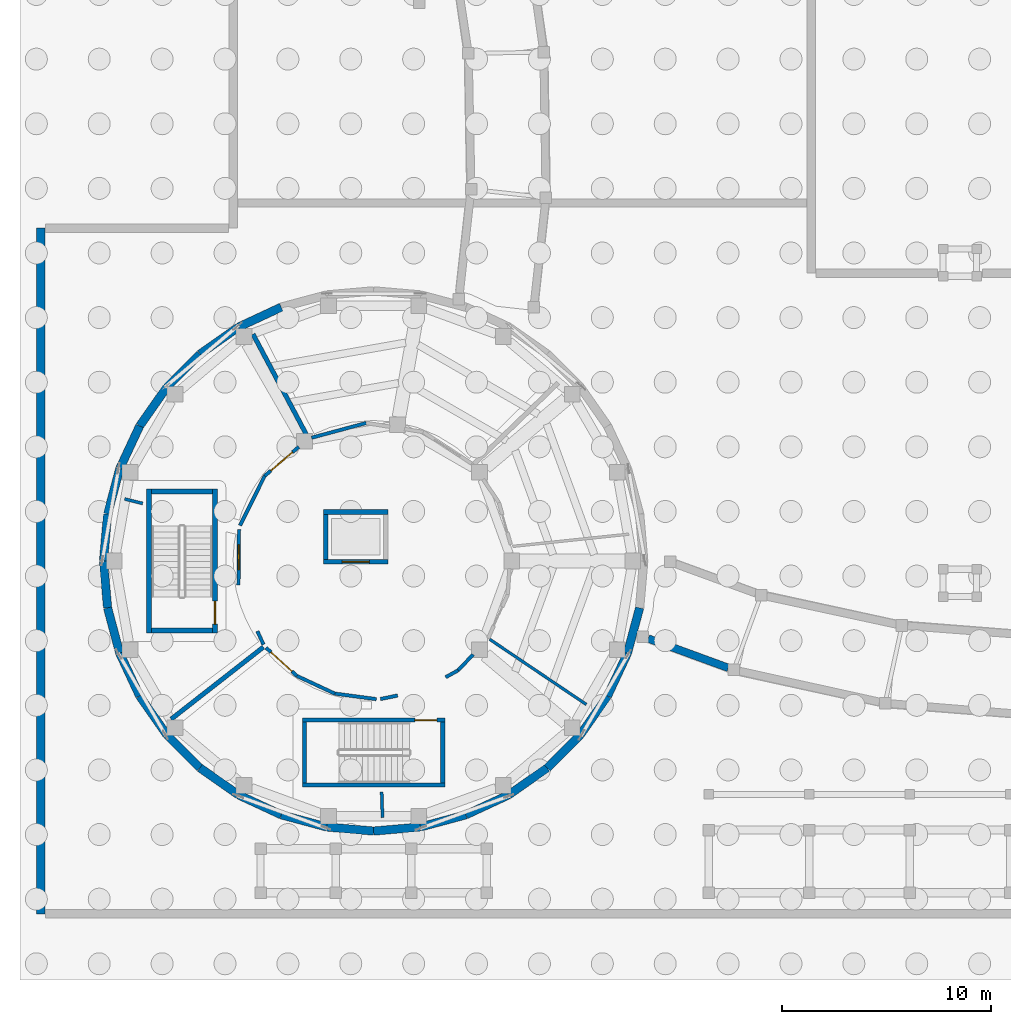
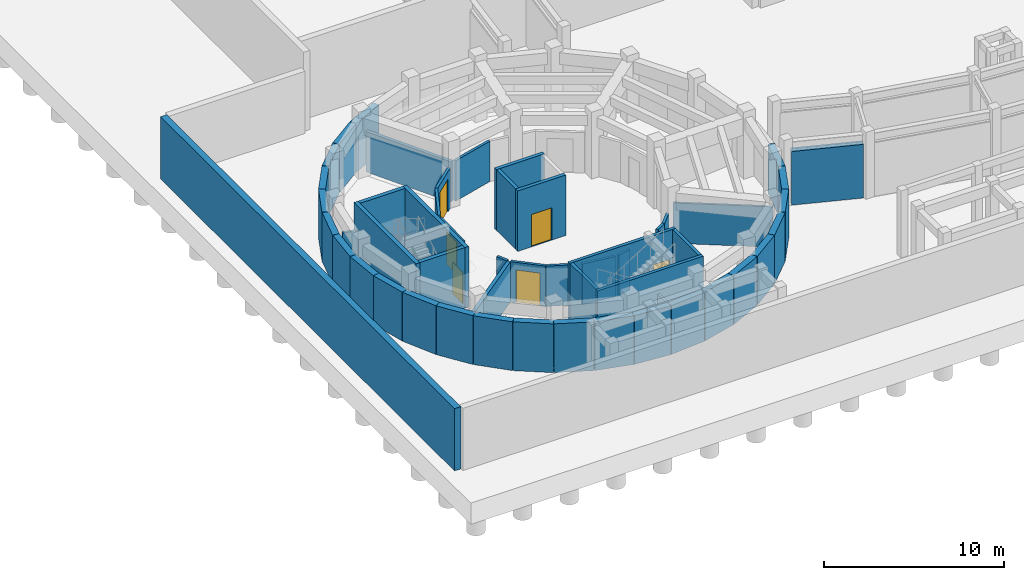
# One storey, part 35 of 57: 53 walls, 6 doors, 6 openings.
"""IFC4 building model written with IfcOpenShell, lengths in metres."""

from ifc_helpers import new_model, si_unit, direction, frame, frame_2d, origin, place, context, subcontext, project, spatial, rectangle, extrude, material, layer, layer_set, type_object, element, fill, save


model = new_model("IFC4")

# Units and contexts
model_context = context("Model", 3, precision=1e-05, world=origin(), true_north=direction((0.0, 1.0)))
body_context = subcontext(model_context, "Body", "Model", "MODEL_VIEW")
ifc_project = project(units=[si_unit("LENGTHUNIT", "METRE"), si_unit("AREAUNIT", "SQUARE_METRE"), si_unit("VOLUMEUNIT", "CUBIC_METRE"), si_unit("PLANEANGLEUNIT", "RADIAN"), si_unit("MASSUNIT", "GRAM", prefix="KILO")], contexts=[model_context])

# Site, building, storey
site_placement = place(None, origin())
site = spatial("IfcSite", under=ifc_project, at=site_placement, CompositionType="ELEMENT")
building_placement = place(site_placement, origin())
building = spatial("IfcBuilding", under=site, at=building_placement, Name="Aldenvaro Health Centre", CompositionType="ELEMENT")
storey_placement = place(building_placement, frame((0.0, 0.0, -4.550048828125)))
storey = spatial("IfcBuildingStorey", under=building, at=storey_placement, Name="B1", CompositionType="ELEMENT", Elevation=-4.550048828125)

# Walls
ifc_material_1 = material(Name="Gypsum Stud Acoustic Assembly")
ifc_layer_1 = layer(ifc_material_1, 0.14501953125, Name="Gypsum Stud Acoustic Assembly")
ifc_layer_set_1 = layer_set([ifc_layer_1], Name="Gypsum Stud Acoustic Assembly")
wall_type_1 = type_object("IfcWallType", Name="WL-CLN-145", PredefinedType="PARTITIONING", material=ifc_layer_set_1)
wall_1_placement = place(storey_placement, frame((7.469970703125, 21.25, 0.0), z_axis=(0.0, 0.0, 1.0), x_axis=(-0.970368971524, 0.241627935272, 0.0)))
element("IfcWall", 1, at=wall_1_placement, inside=storey, type_object=wall_type_1, Name="D5 B1 clinical partition 3.2", PredefinedType="PARTITIONING", context=body_context, shape_type="SweptSolid", body=[
    extrude(rectangle(XDim=0.88623046875, YDim=0.14501953125, at=frame_2d((0.443115234375, 0.0))), origin(), (0.0, 0.0, 1.0), 2.7431640625),
])
wall_2_placement = place(storey_placement, frame((18.885009765625, 7.469970703125, 0.0), z_axis=(0.0, 0.0, 1.0), x_axis=(0.034885535768, -0.999391314448, 0.0)))
element("IfcWall", 2, at=wall_2_placement, inside=storey, type_object=wall_type_1, Name="D5 B1 clinical partition 5.2", PredefinedType="PARTITIONING", context=body_context, shape_type="SweptSolid", body=[
    extrude(rectangle(XDim=1.231689453125, YDim=0.14501953125, at=frame_2d((0.61572265625, 0.0))), origin(), (0.0, 0.0, 1.0), 2.7431640625),
])
ifc_layer_2 = layer(ifc_material_1, 0.1650390625, Name="Gypsum Stud Acoustic Assembly")
ifc_layer_set_2 = layer_set([ifc_layer_2], Name="Gypsum Stud Acoustic Assembly")
wall_type_2 = type_object("IfcWallType", Name="WL-COR-165", PredefinedType="PARTITIONING", material=ifc_layer_set_2)
wall_3_placement = place(storey_placement, frame((18.14892578125, 25.091064453125, 0.0), z_axis=(0.0, 0.0, 1.0), x_axis=(-0.965481338685, -0.260472233935, 0.0)))
element("IfcWall", 3, at=wall_3_placement, inside=storey, type_object=wall_type_2, Name="D5 B1 corridor wall 01.4", PredefinedType="PARTITIONING", context=body_context, shape_type="SweptSolid", body=[
    extrude(rectangle(XDim=2.703125, YDim=0.1650390625, at=frame_2d((1.3515625, 0.0))), origin(), (0.0, 0.0, 1.0), 2.7431640625),
])

# Wall, opening, door
wall_4_placement = place(storey_placement, frame((14.927978515625, 23.950927734375, 0.0), z_axis=(0.0, 0.0, 1.0), x_axis=(-0.761161879136, -0.648561942879, 0.0)))
wall_4 = element("IfcWall", 4, at=wall_4_placement, inside=storey, type_object=wall_type_2, Name="D5 B1 corridor wall 02.1", PredefinedType="PARTITIONING", context=body_context, shape_type="SweptSolid", body=[
    extrude(rectangle(XDim=2.14013671875, YDim=0.1650390625, at=frame_2d((1.070068359375, 0.0))), origin(), (0.0, 0.0, 1.0), 2.7431640625),
])
opening_1_placement = place(wall_4_placement, frame((0.39501953125, 0.0, 0.0)))
opening_1 = element("IfcOpeningElement", 5, at=opening_1_placement, cuts=wall_4, Name="Opening XD-02", PredefinedType="OPENING", context=body_context, shape_type="SweptSolid", body=[
    extrude(rectangle(XDim=1.35009765625, YDim=2.219970703125, at=frame_2d((0.675048828125, 1.10986328125))), frame((0.0, 0.092529296875, 0.0), z_axis=(0.0, -1.0, 0.0), x_axis=(1.0, 0.0, 0.0)), (0.0, 0.0, 1.0), 0.18505859375),
])
ifc_material_2 = material(Name="RF-Shielded MRI Suite Door")
door_type_1 = type_object("IfcDoorType", Name="DR-IMG-135", OperationType="NOTDEFINED", PredefinedType="DOOR", material=ifc_material_2)
door_1_placement = place(opening_1_placement, origin())
door_1 = element("IfcDoor", 6, at=door_1_placement, inside=storey, type_object=door_type_1, Name="MRI Control and Technologist Alcove Door", OperationType="SINGLE_SWING_RIGHT", OverallHeight=2.219970703125, OverallWidth=1.35009765625, PredefinedType="DOOR", context=body_context, shape_type="SweptSolid", body=[
    extrude(rectangle(XDim=1.35009765625, YDim=2.219970703125, at=frame_2d((0.675048828125, 1.10986328125))), frame((0.0, 0.02490234375, 0.0), z_axis=(0.0, -1.0, 0.0), x_axis=(1.0, 0.0, 0.0)), (0.0, 0.0, 1.0), 0.050048828125),
])
fill(opening_1, door_1)

# Wall
wall_5_placement = place(storey_placement, frame((13.299072265625, 22.56298828125, 0.0), z_axis=(0.0, 0.0, 1.0), x_axis=(-0.445221024135, -0.895420705405, 0.0)))
element("IfcWall", 7, at=wall_5_placement, inside=storey, type_object=wall_type_2, Name="D5 B1 corridor wall 02.2", PredefinedType="PARTITIONING", context=body_context, shape_type="SweptSolid", body=[
    extrude(rectangle(XDim=2.64794921875, YDim=0.1650390625, at=frame_2d((1.323974609375, 0.0))), origin(), (0.0, 0.0, 1.0), 2.7431640625),
])

# Wall, opening, door
wall_6_placement = place(storey_placement, frame((12.072998046875, 20.001953125, 0.0), z_axis=(0.0, 0.0, 1.0), x_axis=(-0.010218578952, -0.999947788959, 0.0)))
wall_6 = element("IfcWall", 8, at=wall_6_placement, inside=storey, type_object=wall_type_2, Name="D5 B1 corridor wall 03.1", PredefinedType="PARTITIONING", context=body_context, shape_type="SweptSolid", body=[
    extrude(rectangle(XDim=2.652099609375, YDim=0.1650390625, at=frame_2d((1.326171875, 0.0))), origin(), (0.0, 0.0, 1.0), 2.7431640625),
])
opening_2_placement = place(wall_6_placement, frame((0.736083984375, 0.0, 0.0)))
opening_2 = element("IfcOpeningElement", 9, at=opening_2_placement, cuts=wall_6, Name="Opening PD-01", PredefinedType="OPENING", context=body_context, shape_type="SweptSolid", body=[
    extrude(rectangle(XDim=1.179931640625, YDim=2.199951171875, at=frame_2d((0.58984375, 1.10009765625))), frame((0.0, 0.092529296875, 0.0), z_axis=(0.0, -1.0, 0.0), x_axis=(1.0, 0.0, 0.0)), (0.0, 0.0, 1.0), 0.18505859375),
])
ifc_material_3 = material(Name="Fire-Rated Louvred Plant Door")
door_type_2 = type_object("IfcDoorType", Name="DR-PLT-01", OperationType="NOTDEFINED", PredefinedType="DOOR", material=ifc_material_3)
door_2_placement = place(opening_2_placement, origin())
door_2 = element("IfcDoor", 10, at=door_2_placement, inside=storey, type_object=door_type_2, Name="MRI Equipment and Cryogen Room Door", OperationType="SINGLE_SWING_LEFT", OverallHeight=2.199951171875, OverallWidth=1.179931640625, PredefinedType="DOOR", context=body_context, shape_type="SweptSolid", body=[
    extrude(rectangle(XDim=1.179931640625, YDim=2.199951171875, at=frame_2d((0.58984375, 1.10009765625))), frame((0.0, 0.02490234375, 0.0), z_axis=(0.0, -1.0, 0.0), x_axis=(1.0, 0.0, 0.0)), (0.0, 0.0, 1.0), 0.050048828125),
])
fill(opening_2, door_2)

# Wall
wall_7_placement = place(storey_placement, frame((12.949951171875, 15.14697265625, 0.0), z_axis=(0.0, 0.0, 1.0), x_axis=(0.415361769979, -0.909656308745, 0.0)))
element("IfcWall", 11, at=wall_7_placement, inside=storey, type_object=wall_type_2, Name="D5 B1 corridor wall 03.2", PredefinedType="PARTITIONING", context=body_context, shape_type="SweptSolid", body=[
    extrude(rectangle(XDim=0.696044921875, YDim=0.1650390625, at=frame_2d((0.34814453125, 0.0))), origin(), (0.0, 0.0, 1.0), 2.7431640625),
])

# Wall, opening, door
wall_8_placement = place(storey_placement, frame((13.360107421875, 14.360107421875, 0.0), z_axis=(0.0, 0.0, 1.0), x_axis=(0.7378377453, -0.674978119357, 0.0)))
wall_8 = element("IfcWall", 12, at=wall_8_placement, inside=storey, type_object=wall_type_2, Name="D5 B1 corridor wall 04.1", PredefinedType="PARTITIONING", context=body_context, shape_type="SweptSolid", body=[
    extrude(rectangle(XDim=2.000244140625, YDim=0.1650390625, at=frame_2d((1.0, 0.0))), origin(), (0.0, 0.0, 1.0), 2.7431640625),
])
opening_3_placement = place(wall_8_placement, frame((0.324951171875, 0.0, 0.0)))
opening_3 = element("IfcOpeningElement", 13, at=opening_3_placement, cuts=wall_8, Name="Opening XD-02", PredefinedType="OPENING", context=body_context, shape_type="SweptSolid", body=[
    extrude(rectangle(XDim=1.35009765625, YDim=2.219970703125, at=frame_2d((0.675048828125, 1.10986328125))), frame((0.0, 0.092529296875, 0.0), z_axis=(0.0, -1.0, 0.0), x_axis=(1.0, 0.0, 0.0)), (0.0, 0.0, 1.0), 0.18505859375),
])
door_3_placement = place(opening_3_placement, origin())
door_3 = element("IfcDoor", 14, at=door_3_placement, inside=storey, type_object=door_type_1, Name="MRI Zone II Patient Prep and Screening Door", OperationType="SINGLE_SWING_RIGHT", OverallHeight=2.219970703125, OverallWidth=1.35009765625, PredefinedType="DOOR", context=body_context, shape_type="SweptSolid", body=[
    extrude(rectangle(XDim=1.35009765625, YDim=2.219970703125, at=frame_2d((0.675048828125, 1.10986328125))), frame((0.0, 0.02490234375, 0.0), z_axis=(0.0, -1.0, 0.0), x_axis=(1.0, 0.0, 0.0)), (0.0, 0.0, 1.0), 0.050048828125),
])
fill(opening_3, door_3)

# Walls
wall_9_placement = place(storey_placement, frame((14.8359375, 13.010009765625, 0.0), z_axis=(0.0, 0.0, 1.0), x_axis=(0.906391951023, -0.422437724548, 0.0)))
element("IfcWall", 15, at=wall_9_placement, inside=storey, type_object=wall_type_2, Name="D5 B1 corridor wall 04.2", PredefinedType="PARTITIONING", context=body_context, shape_type="SweptSolid", body=[
    extrude(rectangle(XDim=2.000244140625, YDim=0.1650390625, at=frame_2d((1.0, 0.0))), origin(), (0.0, 0.0, 1.0), 2.7431640625),
])
wall_10_placement = place(storey_placement, frame((16.64892578125, 12.1650390625, 0.0), z_axis=(0.0, 0.0, 1.0), x_axis=(0.991244944578, -0.1320358279, 0.0)))
element("IfcWall", 16, at=wall_10_placement, inside=storey, type_object=wall_type_2, Name="D5 B1 corridor wall 04.3", PredefinedType="PARTITIONING", context=body_context, shape_type="SweptSolid", body=[
    extrude(rectangle(XDim=2.000732421875, YDim=0.1650390625, at=frame_2d((1.00048828125, 0.0))), origin(), (0.0, 0.0, 1.0), 2.7431640625),
])
wall_11_placement = place(storey_placement, frame((18.827880859375, 11.907958984375, 0.0), z_axis=(0.0, 0.0, 1.0), x_axis=(0.979755163157, 0.200199451218, 0.0)))
element("IfcWall", 17, at=wall_11_placement, inside=storey, type_object=wall_type_2, Name="D5 B1 corridor wall 05.1", PredefinedType="PARTITIONING", context=body_context, shape_type="SweptSolid", body=[
    extrude(rectangle(XDim=0.839111328125, YDim=0.1650390625, at=frame_2d((0.41943359375, 0.0))), origin(), (0.0, 0.0, 1.0), 2.7431640625),
])
wall_12_placement = place(storey_placement, frame((21.944091796875, 12.949951171875, 0.0), z_axis=(0.0, 0.0, 1.0), x_axis=(0.874716328571, 0.484635269591, 0.0)))
element("IfcWall", 18, at=wall_12_placement, inside=storey, type_object=wall_type_2, Name="D5 B1 corridor wall 05.2", PredefinedType="PARTITIONING", context=body_context, shape_type="SweptSolid", body=[
    extrude(rectangle(XDim=0.678955078125, YDim=0.1650390625, at=frame_2d((0.33935546875, 0.0))), origin(), (0.0, 0.0, 1.0), 2.7431640625),
])
wall_13_placement = place(storey_placement, frame((22.5380859375, 13.279052734375, 0.0), z_axis=(0.0, 0.0, 1.0), x_axis=(0.688972361281, 0.724787613988, 0.0)))
element("IfcWall", 19, at=wall_13_placement, inside=storey, type_object=wall_type_2, Name="D5 B1 corridor wall 05.3", PredefinedType="PARTITIONING", context=body_context, shape_type="SweptSolid", body=[
    extrude(rectangle(XDim=1.0361328125, YDim=0.1650390625, at=frame_2d((0.51806640625, 0.0))), origin(), (0.0, 0.0, 1.0), 2.7431640625),
])
ifc_material_4 = material(Name="Concrete f'c 35 MPa", Category="concrete")
ifc_layer_3 = layer(ifc_material_4, 0.215087890625, Name="Concrete f'c 35 MPa", Category="concrete")
ifc_layer_set_3 = layer_set([ifc_layer_3], Name="Concrete f'c 35 MPa")
wall_type_3 = type_object("IfcWallType", Name="WL-IMG-215", PredefinedType="SOLIDWALL", material=ifc_layer_set_3)
wall_14_placement = place(storey_placement, frame((15.363037109375, 24.40087890625, 0.0), z_axis=(0.0, 0.0, 1.0), x_axis=(-0.469553538459, 0.882904000739, 0.0)))
element("IfcWall", 20, at=wall_14_placement, inside=storey, type_object=wall_type_3, Name="D5 B1 clinical partition 2.1", PredefinedType="SOLIDWALL", context=body_context, shape_type="SweptSolid", body=[
    extrude(rectangle(XDim=5.586181640625, YDim=0.215087890625, at=frame_2d((2.79296875, 0.0))), origin(), (0.0, 0.0, 1.0), 2.7431640625),
])
wall_15_placement = place(storey_placement, frame((13.23388671875, 14.385986328125, 0.0), z_axis=(0.0, 0.0, 1.0), x_axis=(-0.787938235079, -0.615754283542, 0.0)))
element("IfcWall", 21, at=wall_15_placement, inside=storey, type_object=wall_type_3, Name="D5 B1 clinical partition 4.1", PredefinedType="SOLIDWALL", context=body_context, shape_type="SweptSolid", body=[
    extrude(rectangle(XDim=5.586669921875, YDim=0.215087890625, at=frame_2d((2.79345703125, 0.0))), origin(), (0.0, 0.0, 1.0), 2.7431640625),
])
ifc_material_5 = material(Name="Concrete f'c 40 MPa", Category="concrete")
ifc_layer_4 = layer(ifc_material_5, 0.3701171875, Name="Concrete f'c 40 MPa", Category="concrete")
ifc_layer_set_4 = layer_set([ifc_layer_4], Name="Concrete f'c 40 MPa")
wall_type_4 = type_object("IfcWallType", Name="WL-RET-370", PredefinedType="USERDEFINED", material=ifc_layer_set_4)
wall_16_placement = place(storey_placement, frame((31.616943359375, 14.794921875, 0.0), z_axis=(0.0, 0.0, 1.0), x_axis=(0.939080861911, -0.343696282773, 0.0)))
element("IfcWall", 22, at=wall_16_placement, inside=storey, type_object=wall_type_4, Name="South West Curved Peristyle Walkway Arc 1 B1 retaining wall R.1", ObjectType="RETAININGWALL", PredefinedType="USERDEFINED", context=body_context, shape_type="SweptSolid", body=[
    extrude(rectangle(XDim=4.072998046875, YDim=0.3701171875, at=frame_2d((2.03662109375, 0.0))), origin(), (0.0, 0.0, 1.0), 3.64501953125),
])
ifc_layer_5 = layer(ifc_material_5, 0.39990234375, Name="Concrete f'c 40 MPa", Category="concrete")
ifc_layer_set_5 = layer_set([ifc_layer_5], Name="Concrete f'c 40 MPa")
wall_type_5 = type_object("IfcWallType", Name="WL-RET-400", PredefinedType="USERDEFINED", material=ifc_layer_set_5)
wall_17_placement = place(storey_placement, frame((31.2041015625, 16.260009765625, 0.0), z_axis=(0.0, 0.0, 1.0), x_axis=(-0.258824721145, -0.96592430538, 0.0)))
element("IfcWall", 23, at=wall_17_placement, inside=storey, type_object=wall_type_5, Name="D5 B1 hillside retaining wall 02", ObjectType="RETAININGWALL", PredefinedType="USERDEFINED", context=body_context, shape_type="SweptSolid", body=[
    extrude(rectangle(XDim=2.248779296875, YDim=0.39990234375, at=frame_2d((1.12451171875, 0.0))), origin(), (0.0, 0.0, 1.0), 3.318115234375),
])
wall_18_placement = place(storey_placement, frame((30.6220703125, 14.087890625, 0.0), z_axis=(0.0, 0.0, 1.0), x_axis=(-0.422504983593, -0.906360600886, 0.0)))
element("IfcWall", 24, at=wall_18_placement, inside=storey, type_object=wall_type_5, Name="D5 B1 hillside retaining wall 03", ObjectType="RETAININGWALL", PredefinedType="USERDEFINED", context=body_context, shape_type="SweptSolid", body=[
    extrude(rectangle(XDim=2.248291015625, YDim=0.39990234375, at=frame_2d((1.1240234375, 0.0))), origin(), (0.0, 0.0, 1.0), 3.318115234375),
])
for number, where, z_axis, x_axis, name in (
    (25, (29.672119140625, 12.050048828125, 0.0), (0.0, 0.0, 1.0), (-0.573644482107, -0.819104393925, 0.0), "D5 B1 hillside retaining wall 04"),
    (26, (28.382080078125, 10.2080078125, 0.0), (0.0, 0.0, 1.0), (-0.707106781187, -0.707106781187, 0.0), "D5 B1 hillside retaining wall 05"),
    (27, (26.7919921875, 8.617919921875, 0.0), (0.0, 0.0, 1.0), (-0.819104393925, -0.573644482107, 0.0), "D5 B1 hillside retaining wall 06"),
):
    element("IfcWall", number, at=place(storey_placement, frame(where, z_axis=z_axis, x_axis=x_axis)), inside=storey, type_object=wall_type_5, Name=name, ObjectType="RETAININGWALL", PredefinedType="USERDEFINED", context=body_context, shape_type="SweptSolid", body=[
        extrude(rectangle(XDim=2.248779296875, YDim=0.39990234375, at=frame_2d((1.12451171875, 0.0))), origin(), (0.0, 0.0, 1.0), 3.318115234375),
    ])
wall_19_placement = place(storey_placement, frame((24.949951171875, 7.327880859375, 0.0), z_axis=(0.0, 0.0, 1.0), x_axis=(-0.906360600886, -0.422504983593, 0.0)))
element("IfcWall", 28, at=wall_19_placement, inside=storey, type_object=wall_type_5, Name="D5 B1 hillside retaining wall 07", ObjectType="RETAININGWALL", PredefinedType="USERDEFINED", context=body_context, shape_type="SweptSolid", body=[
    extrude(rectangle(XDim=2.248291015625, YDim=0.39990234375, at=frame_2d((1.1240234375, 0.0))), origin(), (0.0, 0.0, 1.0), 3.318115234375),
])
wall_20_placement = place(storey_placement, frame((22.912109375, 6.3779296875, 0.0), z_axis=(0.0, 0.0, 1.0), x_axis=(-0.96592430538, -0.258824721145, 0.0)))
element("IfcWall", 29, at=wall_20_placement, inside=storey, type_object=wall_type_5, Name="D5 B1 hillside retaining wall 08", ObjectType="RETAININGWALL", PredefinedType="USERDEFINED", context=body_context, shape_type="SweptSolid", body=[
    extrude(rectangle(XDim=2.248779296875, YDim=0.39990234375, at=frame_2d((1.12451171875, 0.0))), origin(), (0.0, 0.0, 1.0), 3.318115234375),
])
for number, where, z_axis, x_axis, name in (
    (30, (20.739990234375, 5.7958984375, 0.0), (0.0, 0.0, 1.0), (-0.996201374201, -0.087079400775, 0.0), "D5 B1 hillside retaining wall 09"),
    (31, (18.5, 5.60009765625, 0.0), (0.0, 0.0, 1.0), (-0.996201374201, 0.087079400775, 0.0), "D5 B1 hillside retaining wall 10"),
):
    element("IfcWall", number, at=place(storey_placement, frame(where, z_axis=z_axis, x_axis=x_axis)), inside=storey, type_object=wall_type_5, Name=name, ObjectType="RETAININGWALL", PredefinedType="USERDEFINED", context=body_context, shape_type="SweptSolid", body=[
        extrude(rectangle(XDim=2.24853515625, YDim=0.39990234375, at=frame_2d((1.124267578125, 0.0))), origin(), (0.0, 0.0, 1.0), 3.318115234375),
    ])
wall_21_placement = place(storey_placement, frame((16.260009765625, 5.7958984375, 0.0), z_axis=(0.0, 0.0, 1.0), x_axis=(-0.96592430538, 0.258824721145, 0.0)))
element("IfcWall", 32, at=wall_21_placement, inside=storey, type_object=wall_type_5, Name="D5 B1 hillside retaining wall 11", ObjectType="RETAININGWALL", PredefinedType="USERDEFINED", context=body_context, shape_type="SweptSolid", body=[
    extrude(rectangle(XDim=2.248779296875, YDim=0.39990234375, at=frame_2d((1.12451171875, 0.0))), origin(), (0.0, 0.0, 1.0), 3.318115234375),
])
wall_22_placement = place(storey_placement, frame((14.087890625, 6.3779296875, 0.0), z_axis=(0.0, 0.0, 1.0), x_axis=(-0.906360600886, 0.422504983593, 0.0)))
element("IfcWall", 33, at=wall_22_placement, inside=storey, type_object=wall_type_5, Name="D5 B1 hillside retaining wall 12", ObjectType="RETAININGWALL", PredefinedType="USERDEFINED", context=body_context, shape_type="SweptSolid", body=[
    extrude(rectangle(XDim=2.248291015625, YDim=0.39990234375, at=frame_2d((1.1240234375, 0.0))), origin(), (0.0, 0.0, 1.0), 3.318115234375),
])
for number, where, z_axis, x_axis, name in (
    (34, (12.050048828125, 7.327880859375, 0.0), (0.0, 0.0, 1.0), (-0.819104393925, 0.573644482107, 0.0), "D5 B1 hillside retaining wall 13"),
    (35, (10.2080078125, 8.617919921875, 0.0), (0.0, 0.0, 1.0), (-0.707106781187, 0.707106781187, 0.0), "D5 B1 hillside retaining wall 14"),
    (36, (8.617919921875, 10.2080078125, 0.0), (0.0, 0.0, 1.0), (-0.573644482107, 0.819104393925, 0.0), "D5 B1 hillside retaining wall 15"),
):
    element("IfcWall", number, at=place(storey_placement, frame(where, z_axis=z_axis, x_axis=x_axis)), inside=storey, type_object=wall_type_5, Name=name, ObjectType="RETAININGWALL", PredefinedType="USERDEFINED", context=body_context, shape_type="SweptSolid", body=[
        extrude(rectangle(XDim=2.248779296875, YDim=0.39990234375, at=frame_2d((1.12451171875, 0.0))), origin(), (0.0, 0.0, 1.0), 3.318115234375),
    ])
wall_23_placement = place(storey_placement, frame((7.327880859375, 12.050048828125, 0.0), z_axis=(0.0, 0.0, 1.0), x_axis=(-0.422504983593, 0.906360600886, 0.0)))
element("IfcWall", 37, at=wall_23_placement, inside=storey, type_object=wall_type_5, Name="D5 B1 hillside retaining wall 16", ObjectType="RETAININGWALL", PredefinedType="USERDEFINED", context=body_context, shape_type="SweptSolid", body=[
    extrude(rectangle(XDim=2.248291015625, YDim=0.39990234375, at=frame_2d((1.1240234375, 0.0))), origin(), (0.0, 0.0, 1.0), 3.318115234375),
])
wall_24_placement = place(storey_placement, frame((6.3779296875, 14.087890625, 0.0), z_axis=(0.0, 0.0, 1.0), x_axis=(-0.258824721145, 0.96592430538, 0.0)))
element("IfcWall", 38, at=wall_24_placement, inside=storey, type_object=wall_type_5, Name="D5 B1 hillside retaining wall 17", ObjectType="RETAININGWALL", PredefinedType="USERDEFINED", context=body_context, shape_type="SweptSolid", body=[
    extrude(rectangle(XDim=2.248779296875, YDim=0.39990234375, at=frame_2d((1.12451171875, 0.0))), origin(), (0.0, 0.0, 1.0), 3.318115234375),
])
for number, where, z_axis, x_axis, name in (
    (39, (5.7958984375, 16.260009765625, 0.0), (0.0, 0.0, 1.0), (-0.087079400775, 0.996201374201, 0.0), "D5 B1 hillside retaining wall 18"),
    (40, (5.60009765625, 18.5, 0.0), (0.0, 0.0, 1.0), (0.087079400775, 0.996201374201, 0.0), "D5 B1 hillside retaining wall 19"),
):
    element("IfcWall", number, at=place(storey_placement, frame(where, z_axis=z_axis, x_axis=x_axis)), inside=storey, type_object=wall_type_5, Name=name, ObjectType="RETAININGWALL", PredefinedType="USERDEFINED", context=body_context, shape_type="SweptSolid", body=[
        extrude(rectangle(XDim=2.24853515625, YDim=0.39990234375, at=frame_2d((1.124267578125, 0.0))), origin(), (0.0, 0.0, 1.0), 3.318115234375),
    ])
wall_25_placement = place(storey_placement, frame((5.7958984375, 20.739990234375, 0.0), z_axis=(0.0, 0.0, 1.0), x_axis=(0.258824721145, 0.96592430538, 0.0)))
element("IfcWall", 41, at=wall_25_placement, inside=storey, type_object=wall_type_5, Name="D5 B1 hillside retaining wall 20", ObjectType="RETAININGWALL", PredefinedType="USERDEFINED", context=body_context, shape_type="SweptSolid", body=[
    extrude(rectangle(XDim=2.248779296875, YDim=0.39990234375, at=frame_2d((1.12451171875, 0.0))), origin(), (0.0, 0.0, 1.0), 3.318115234375),
])
wall_26_placement = place(storey_placement, frame((6.3779296875, 22.912109375, 0.0), z_axis=(0.0, 0.0, 1.0), x_axis=(0.422504983593, 0.906360600886, 0.0)))
element("IfcWall", 42, at=wall_26_placement, inside=storey, type_object=wall_type_5, Name="D5 B1 hillside retaining wall 21", ObjectType="RETAININGWALL", PredefinedType="USERDEFINED", context=body_context, shape_type="SweptSolid", body=[
    extrude(rectangle(XDim=2.248291015625, YDim=0.39990234375, at=frame_2d((1.1240234375, 0.0))), origin(), (0.0, 0.0, 1.0), 3.318115234375),
])
for number, where, z_axis, x_axis, name in (
    (43, (7.327880859375, 24.949951171875, 0.0), (0.0, 0.0, 1.0), (0.573644482107, 0.819104393925, 0.0), "D5 B1 hillside retaining wall 22"),
    (44, (8.617919921875, 26.7919921875, 0.0), (0.0, 0.0, 1.0), (0.707106781187, 0.707106781187, 0.0), "D5 B1 hillside retaining wall 23"),
    (45, (10.2080078125, 28.382080078125, 0.0), (0.0, 0.0, 1.0), (0.819104393925, 0.573644482107, 0.0), "D5 B1 hillside retaining wall 24"),
):
    element("IfcWall", number, at=place(storey_placement, frame(where, z_axis=z_axis, x_axis=x_axis)), inside=storey, type_object=wall_type_5, Name=name, ObjectType="RETAININGWALL", PredefinedType="USERDEFINED", context=body_context, shape_type="SweptSolid", body=[
        extrude(rectangle(XDim=2.248779296875, YDim=0.39990234375, at=frame_2d((1.12451171875, 0.0))), origin(), (0.0, 0.0, 1.0), 3.318115234375),
    ])
wall_27_placement = place(storey_placement, frame((12.050048828125, 29.672119140625, 0.0), z_axis=(0.0, 0.0, 1.0), x_axis=(0.906360600886, 0.422504983593, 0.0)))
element("IfcWall", 46, at=wall_27_placement, inside=storey, type_object=wall_type_5, Name="D5 B1 hillside retaining wall 25", ObjectType="RETAININGWALL", PredefinedType="USERDEFINED", context=body_context, shape_type="SweptSolid", body=[
    extrude(rectangle(XDim=2.248291015625, YDim=0.39990234375, at=frame_2d((1.1240234375, 0.0))), origin(), (0.0, 0.0, 1.0), 3.318115234375),
])
wall_28_placement = place(storey_placement, frame((2.60009765625, 1.64990234375, 0.0), z_axis=(0.0, 0.0, 1.0), x_axis=(0.0, 1.0, 0.0)))
element("IfcWall", 47, at=wall_28_placement, inside=storey, type_object=wall_type_5, Name="Stepped Foothill Retaining Wall T1S-W-00", ObjectType="RETAININGWALL", PredefinedType="USERDEFINED", context=body_context, shape_type="SweptSolid", body=[
    extrude(rectangle(XDim=32.75, YDim=0.39990234375, at=frame_2d((16.375, 0.0))), origin(), (0.0, 0.0, 1.0), 4.22998046875),
])

# Wall, opening, door
ifc_layer_6 = layer(ifc_material_5, 0.199951171875, Name="Concrete f'c 40 MPa", Category="concrete")
ifc_layer_set_6 = layer_set([ifc_layer_6], Name="Concrete f'c 40 MPa")
wall_type_6 = type_object("IfcWallType", Name="WL-SHAFT-200", PredefinedType="SHEAR", material=ifc_layer_set_6)
wall_29_placement = place(storey_placement, frame((21.89990234375, 10.89990234375, 0.0), z_axis=(0.0, 0.0, 1.0), x_axis=(-1.0, 0.0, 0.0)))
wall_29 = element("IfcWall", 48, at=wall_29_placement, inside=storey, type_object=wall_type_6, Name="ST-10 B1 inner core wall", PredefinedType="SHEAR", context=body_context, shape_type="SweptSolid", body=[
    extrude(rectangle(XDim=6.7998046875, YDim=0.199951171875, at=frame_2d((3.39990234375, 0.0))), origin(), (0.0, 0.0, 1.0), 4.1181640625),
])
opening_4_placement = place(wall_29_placement, frame((0.3798828125, 0.0, 0.0)))
opening_4 = element("IfcOpeningElement", 49, at=opening_4_placement, cuts=wall_29, Name="Opening FD-02", PredefinedType="OPENING", context=body_context, shape_type="SweptSolid", body=[
    extrude(rectangle(XDim=1.050048828125, YDim=2.14990234375, at=frame_2d((0.52490234375, 1.074951171875))), frame((0.0, 0.10986328125, 0.0), z_axis=(0.0, -1.0, 0.0), x_axis=(1.0, 0.0, 0.0)), (0.0, 0.0, 1.0), 0.219970703125),
])
ifc_material_6 = material(Name="Fire-Rated Steel Door Assembly", Category="steel")
door_type_3 = type_object("IfcDoorType", Name="DR-STAIR-105", OperationType="NOTDEFINED", PredefinedType="DOOR", material=ifc_material_6)
door_4_placement = place(opening_4_placement, origin())
door_4 = element("IfcDoor", 50, at=door_4_placement, inside=storey, type_object=door_type_3, Name="ST-10 B1 fire stair door", OperationType="SINGLE_SWING_LEFT", OverallHeight=2.14990234375, OverallWidth=1.050048828125, PredefinedType="DOOR", context=body_context, shape_type="SweptSolid", body=[
    extrude(rectangle(XDim=1.050048828125, YDim=2.14990234375, at=frame_2d((0.52490234375, 1.074951171875))), frame((0.0, 0.02490234375, 0.0), z_axis=(0.0, -1.0, 0.0), x_axis=(1.0, 0.0, 0.0)), (0.0, 0.0, 1.0), 0.050048828125),
])
fill(opening_4, door_4)

# Walls
wall_30_placement = place(storey_placement, frame((21.89990234375, 7.800048828125, 0.0), z_axis=(0.0, 0.0, 1.0), x_axis=(-1.0, 0.0, 0.0)))
element("IfcWall", 51, at=wall_30_placement, inside=storey, type_object=wall_type_6, Name="ST-10 B1 far core wall", PredefinedType="SHEAR", context=body_context, shape_type="SweptSolid", body=[
    extrude(rectangle(XDim=6.7998046875, YDim=0.199951171875, at=frame_2d((3.39990234375, 0.0))), origin(), (0.0, 0.0, 1.0), 4.1181640625),
])
for number, where, z_axis, x_axis, name in (
    (52, (21.800048828125, 10.800048828125, 0.0), (0.0, 0.0, 1.0), (0.0, -1.0, 0.0), "ST-10 B1 side core wall L"),
    (53, (15.199951171875, 10.800048828125, 0.0), (0.0, 0.0, 1.0), (0.0, -1.0, 0.0), "ST-10 B1 side core wall R"),
):
    element("IfcWall", number, at=place(storey_placement, frame(where, z_axis=z_axis, x_axis=x_axis)), inside=storey, type_object=wall_type_6, Name=name, PredefinedType="SHEAR", context=body_context, shape_type="SweptSolid", body=[
        extrude(rectangle(XDim=2.900146484375, YDim=0.199951171875, at=frame_2d((1.4501953125, 0.0))), origin(), (0.0, 0.0, 1.0), 4.1181640625),
    ])

# Wall, opening, door
ifc_layer_7 = layer(ifc_material_5, 0.22509765625, Name="Concrete f'c 40 MPa", Category="concrete")
ifc_layer_set_7 = layer_set([ifc_layer_7], Name="Concrete f'c 40 MPa")
wall_type_7 = type_object("IfcWallType", Name="WL-SHAFT-225", PredefinedType="SHEAR", material=ifc_layer_set_7)
wall_31_placement = place(storey_placement, frame((16.10009765625, 18.4619140625, 0.0), z_axis=(0.0, 0.0, 1.0), x_axis=(1.0, 0.0, 0.0)))
wall_31 = element("IfcWall", 54, at=wall_31_placement, inside=storey, type_object=wall_type_7, Name="LF-05 B1 lift shaft front wall", PredefinedType="SHEAR", context=body_context, shape_type="SweptSolid", body=[
    extrude(rectangle(XDim=3.099853515625, YDim=0.22509765625, at=frame_2d((1.5498046875, 0.0))), origin(), (0.0, 0.0, 1.0), 4.1181640625),
])
opening_5_placement = place(wall_31_placement, frame((0.89990234375, 0.0, 0.0)))
opening_5 = element("IfcOpeningElement", 55, at=opening_5_placement, cuts=wall_31, Name="Opening LD-02", PredefinedType="OPENING", context=body_context, shape_type="SweptSolid", body=[
    extrude(rectangle(XDim=1.300048828125, YDim=2.199951171875, at=frame_2d((0.64990234375, 1.10009765625))), frame((0.0, 0.12255859375, 0.0), z_axis=(0.0, -1.0, 0.0), x_axis=(1.0, 0.0, 0.0)), (0.0, 0.0, 1.0), 0.2451171875),
])
ifc_material_7 = material(Name="Stainless Steel Stretcher Landing Door", Category="steel")
door_type_4 = type_object("IfcDoorType", Name="DR-LIFT-130", OperationType="DOUBLE_DOOR_SLIDING", PredefinedType="DOOR", material=ifc_material_7)
door_5_placement = place(opening_5_placement, origin())
door_5 = element("IfcDoor", 56, at=door_5_placement, inside=storey, type_object=door_type_4, Name="Lift LF-05 B1 Sliding Landing Door", OperationType="DOUBLE_DOOR_SLIDING", OverallHeight=2.199951171875, OverallWidth=1.300048828125, PredefinedType="DOOR", context=body_context, shape_type="SweptSolid", body=[
    extrude(rectangle(XDim=1.300048828125, YDim=2.199951171875, at=frame_2d((0.64990234375, 1.10009765625))), frame((0.0, 0.02490234375, 0.0), z_axis=(0.0, -1.0, 0.0), x_axis=(1.0, 0.0, 0.0)), (0.0, 0.0, 1.0), 0.050048828125),
])
fill(opening_5, door_5)

# Walls
wall_32_placement = place(storey_placement, frame((16.10009765625, 20.8369140625, 0.0), z_axis=(0.0, 0.0, 1.0), x_axis=(1.0, 0.0, 0.0)))
element("IfcWall", 57, at=wall_32_placement, inside=storey, type_object=wall_type_7, Name="LF-05 B1 lift shaft rear wall", PredefinedType="SHEAR", context=body_context, shape_type="SweptSolid", body=[
    extrude(rectangle(XDim=3.099853515625, YDim=0.22509765625, at=frame_2d((1.5498046875, 0.0))), origin(), (0.0, 0.0, 1.0), 4.1181640625),
])
wall_33_placement = place(storey_placement, frame((16.2119140625, 18.574951171875, 0.0), z_axis=(0.0, 0.0, 1.0), x_axis=(0.0, 1.0, 0.0)))
element("IfcWall", 58, at=wall_33_placement, inside=storey, type_object=wall_type_7, Name="LF-05 B1 lift shaft side wall L", PredefinedType="SHEAR", context=body_context, shape_type="SweptSolid", body=[
    extrude(rectangle(XDim=2.150146484375, YDim=0.22509765625, at=frame_2d((1.0751953125, 0.0))), origin(), (0.0, 0.0, 1.0), 4.1181640625),
])

# Wall, opening, door
ifc_layer_8 = layer(ifc_material_5, 0.25, Name="Concrete f'c 40 MPa", Category="concrete")
ifc_layer_set_8 = layer_set([ifc_layer_8], Name="Concrete f'c 40 MPa")
wall_type_8 = type_object("IfcWallType", Name="WL-SHAFT-250", PredefinedType="SHEAR", material=ifc_layer_set_8)
wall_34_placement = place(storey_placement, frame((10.925048828125, 15.050048828125, 0.0), z_axis=(0.0, 0.0, 1.0), x_axis=(0.0, 1.0, 0.0)))
wall_34 = element("IfcWall", 59, at=wall_34_placement, inside=storey, type_object=wall_type_8, Name="ST-09 B1 inner core wall", PredefinedType="SHEAR", context=body_context, shape_type="SweptSolid", body=[
    extrude(rectangle(XDim=6.89990234375, YDim=0.25, at=frame_2d((3.449951171875, 0.0))), origin(), (0.0, 0.0, 1.0), 4.1181640625),
])
opening_6_placement = place(wall_34_placement, frame((0.429931640625, 0.0, 0.0)))
opening_6 = element("IfcOpeningElement", 60, at=opening_6_placement, cuts=wall_34, Name="Opening FD-01", PredefinedType="OPENING", context=body_context, shape_type="SweptSolid", body=[
    extrude(rectangle(XDim=1.10009765625, YDim=2.14990234375, at=frame_2d((0.550048828125, 1.074951171875))), frame((0.0, 0.135009765625, 0.0), z_axis=(0.0, -1.0, 0.0), x_axis=(1.0, 0.0, 0.0)), (0.0, 0.0, 1.0), 0.27001953125),
])
door_type_5 = type_object("IfcDoorType", Name="DR-STAIR-110", OperationType="NOTDEFINED", PredefinedType="DOOR", material=ifc_material_6)
door_6_placement = place(opening_6_placement, origin())
door_6 = element("IfcDoor", 61, at=door_6_placement, inside=storey, type_object=door_type_5, Name="ST-09 B1 fire stair door", OperationType="SINGLE_SWING_LEFT", OverallHeight=2.14990234375, OverallWidth=1.10009765625, PredefinedType="DOOR", context=body_context, shape_type="SweptSolid", body=[
    extrude(rectangle(XDim=1.10009765625, YDim=2.14990234375, at=frame_2d((0.550048828125, 1.074951171875))), frame((0.0, 0.02490234375, 0.0), z_axis=(0.0, -1.0, 0.0), x_axis=(1.0, 0.0, 0.0)), (0.0, 0.0, 1.0), 0.050048828125),
])
fill(opening_6, door_6)

# Walls
wall_35_placement = place(storey_placement, frame((7.77490234375, 15.050048828125, 0.0), z_axis=(0.0, 0.0, 1.0), x_axis=(0.0, 1.0, 0.0)))
element("IfcWall", 62, at=wall_35_placement, inside=storey, type_object=wall_type_8, Name="ST-09 B1 far core wall", PredefinedType="SHEAR", context=body_context, shape_type="SweptSolid", body=[
    extrude(rectangle(XDim=6.89990234375, YDim=0.25, at=frame_2d((3.449951171875, 0.0))), origin(), (0.0, 0.0, 1.0), 4.1181640625),
])
for number, where, z_axis, x_axis, name in (
    (63, (10.800048828125, 15.175048828125, 0.0), (0.0, 0.0, 1.0), (-1.0, 0.0, 0.0), "ST-09 B1 side core wall L"),
    (64, (10.800048828125, 21.824951171875, 0.0), (0.0, 0.0, 1.0), (-1.0, 0.0, 0.0), "ST-09 B1 side core wall R"),
):
    element("IfcWall", number, at=place(storey_placement, frame(where, z_axis=z_axis, x_axis=x_axis)), inside=storey, type_object=wall_type_8, Name=name, PredefinedType="SHEAR", context=body_context, shape_type="SweptSolid", body=[
        extrude(rectangle(XDim=2.900146484375, YDim=0.25, at=frame_2d((1.4501953125, 0.0))), origin(), (0.0, 0.0, 1.0), 4.1181640625),
    ])
ifc_material_8 = material(Name="Moisture-Resistant Plumbing Stud Wall")
ifc_layer_9 = layer(ifc_material_8, 0.135009765625, Name="Moisture-Resistant Plumbing Stud Wall")
ifc_layer_set_9 = layer_set([ifc_layer_9], Name="Moisture-Resistant Plumbing Stud Wall")
wall_type_9 = type_object("IfcWallType", Name="WL-WET-135", PredefinedType="PLUMBINGWALL", material=ifc_layer_set_9)
wall_36_placement = place(storey_placement, frame((24.0400390625, 14.762939453125, 0.0), z_axis=(0.0, 0.0, 1.0), x_axis=(0.829078742877, -0.559131861111, 0.0)))
element("IfcWall", 65, at=wall_36_placement, inside=storey, type_object=wall_type_9, Name="D5 B1 clinical partition 6.1", PredefinedType="PLUMBINGWALL", context=body_context, shape_type="SweptSolid", body=[
    extrude(rectangle(XDim=5.571044921875, YDim=0.135009765625, at=frame_2d((2.78564453125, 0.0))), origin(), (0.0, 0.0, 1.0), 2.7431640625),
])

save(model, "model.ifc")
